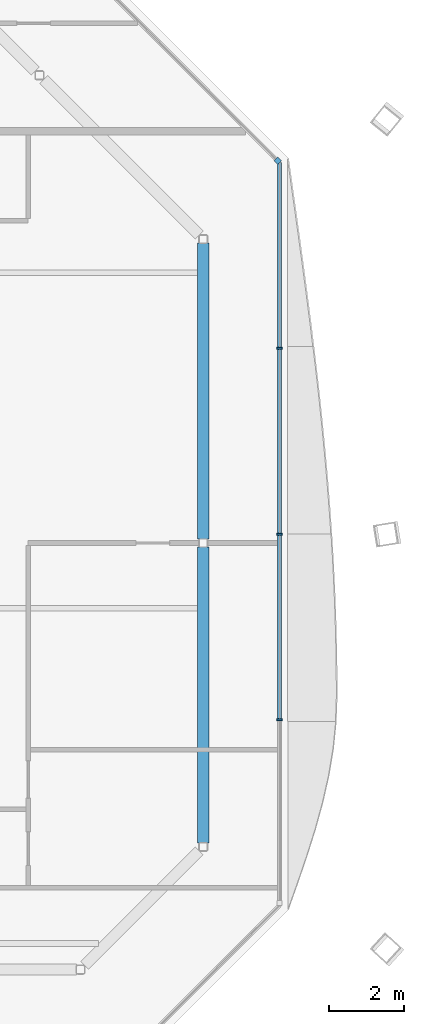
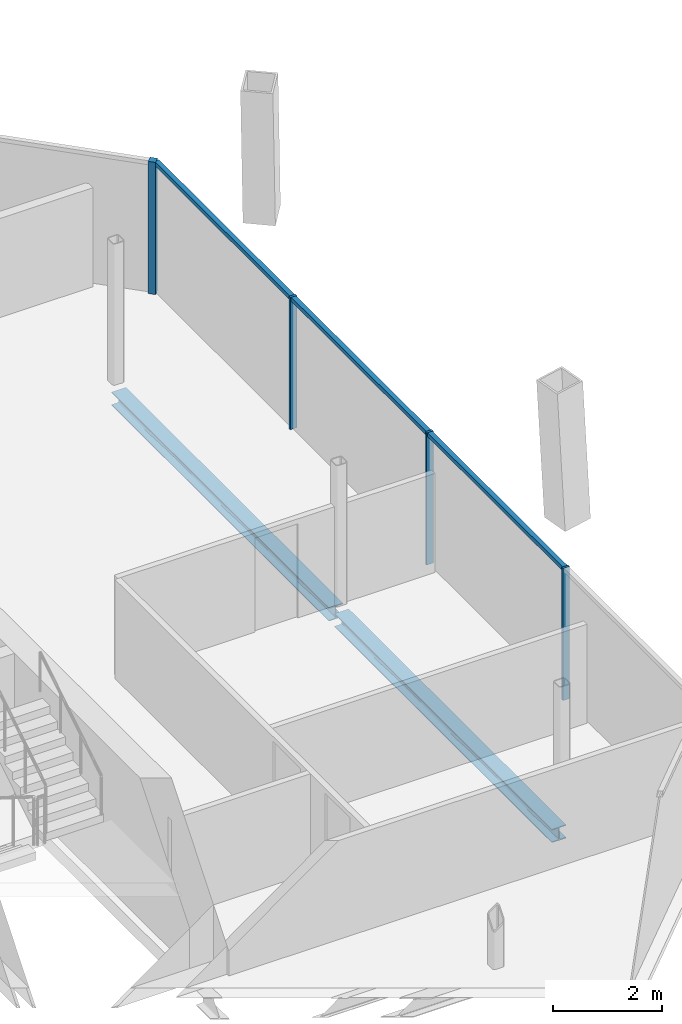
# One storey, part 7 of 14: 7 members, 2 beams, 2 elements without a shape of their own.
"""IFC4 building model written with IfcOpenShell, lengths in metres."""

from ifc_helpers import new_model, si_unit, direction, frame, origin, origin_2d, place, context, subcontext, project, spatial, rectangle, i_section, extrude, material, material_profile, profile_set, type_object, element, aggregate, save


model = new_model("IFC4")

# Units and contexts
model_context = context("Model", 3, precision=1e-05, world=origin(), true_north=direction((0.0, 1.0)))
body_context = subcontext(model_context, "Body", "Model", "MODEL_VIEW")
ifc_project = project(units=[si_unit("LENGTHUNIT", "METRE"), si_unit("AREAUNIT", "SQUARE_METRE"), si_unit("VOLUMEUNIT", "CUBIC_METRE"), si_unit("PLANEANGLEUNIT", "RADIAN"), si_unit("MASSUNIT", "GRAM", prefix="KILO")], contexts=[model_context])

# Site, building, storey
site_placement = place(None, origin())
site = spatial("IfcSite", under=ifc_project, at=site_placement, CompositionType="ELEMENT")
building_placement = place(site_placement, origin())
building = spatial("IfcBuilding", under=site, at=building_placement, Name="Tskaro Facet Tower", CompositionType="ELEMENT")
storey_placement = place(building_placement, frame((0.0, 0.0, 272.10009765625)))
storey = spatial("IfcBuildingStorey", under=building, at=storey_placement, Name="L72", CompositionType="ELEMENT", Elevation=272.10009765625)

# Curtain wall, member
ifc_material_1 = material(Name="Bronze anodised aluminium 6063-T6", Category="aluminium")
curtain_wall_type = type_object("IfcCurtainWallType", Name="Bronze residence curtain wall (FW3)", PredefinedType="NOTDEFINED", material=ifc_material_1)
curtain_wall_1_placement = place(storey_placement, origin())
curtain_wall_1 = element("IfcCurtainWall", 1, at=curtain_wall_1_placement, inside=storey, type_object=curtain_wall_type, Name="FW3 north-east facet L72", PredefinedType="NOTDEFINED")
ifc_material_profile_1 = material_profile(ifc_material_1, rectangle(XDim=0.139892578125, YDim=0.139892578125, at=origin_2d()), Name="Corner post 140x140")
ifc_profile_set_1 = profile_set([ifc_material_profile_1], Name="Bronze anodised aluminium 6063-T6")
member_type_1 = type_object("IfcMemberType", Name="FW3 bronze corner post 140x140", PredefinedType="MULLION", material=ifc_profile_set_1)
member_1_placement = place(storey_placement, frame((19.196533203125, 7.506591796875, 0.0), z_axis=(0.0, 0.0, 1.0), x_axis=(-0.707106781187, 0.707106781187, 0.0)))
member_1 = element("IfcMember", 2, at=member_1_placement, type_object=member_type_1, Name="FW3 north-east corner post", PredefinedType="MULLION", context=body_context, shape_type="SweptSolid", body=[
    extrude(rectangle(XDim=0.139892578125, YDim=0.139892578125, at=origin_2d()), origin(), (0.0, 0.0, 1.0), 2.949951171875),
])
aggregate(curtain_wall_1, [member_1])

# Curtain wall, members
curtain_wall_2_placement = place(storey_placement, origin())
curtain_wall_2 = element("IfcCurtainWall", 3, at=curtain_wall_2_placement, inside=storey, type_object=curtain_wall_type, Name="FW3 east facet L72", PredefinedType="NOTDEFINED")
ifc_material_profile_2 = material_profile(ifc_material_1, rectangle(XDim=0.050048828125, YDim=0.139892578125, at=origin_2d()), Name="Mullion 50x140")
ifc_profile_set_2 = profile_set([ifc_material_profile_2], Name="Bronze anodised aluminium 6063-T6")
member_type_2 = type_object("IfcMemberType", Name="FW3 bronze mullion 50x140", PredefinedType="MULLION", material=ifc_profile_set_2)
member_2_placement = place(storey_placement, frame((19.24609375, -7.4951171875, 0.0), z_axis=(0.0, 0.0, 1.0), x_axis=(0.0, 1.0, 0.0)))
member_2 = element("IfcMember", 4, at=member_2_placement, type_object=member_type_2, Name="FW3 east mullion 1", PredefinedType="MULLION", context=body_context, shape_type="SweptSolid", body=[
    extrude(rectangle(XDim=0.050048828125, YDim=0.139892578125, at=origin_2d()), origin(), (0.0, 0.0, 1.0), 2.949951171875),
])
member_3_placement = place(storey_placement, frame((19.24609375, -2.510986328125, 0.0), z_axis=(0.0, 0.0, 1.0), x_axis=(0.0, 1.0, 0.0)))
member_3 = element("IfcMember", 5, at=member_3_placement, type_object=member_type_2, Name="FW3 east mullion 2", PredefinedType="MULLION", context=body_context, shape_type="SweptSolid", body=[
    extrude(rectangle(XDim=0.050048828125, YDim=0.139892578125, at=origin_2d()), origin(), (0.0, 0.0, 1.0), 2.949951171875),
])
member_4_placement = place(storey_placement, frame((19.24609375, 2.472900390625, 0.0), z_axis=(0.0, 0.0, 1.0), x_axis=(0.0, 1.0, 0.0)))
member_4 = element("IfcMember", 6, at=member_4_placement, type_object=member_type_2, Name="FW3 east mullion 3", PredefinedType="MULLION", context=body_context, shape_type="SweptSolid", body=[
    extrude(rectangle(XDim=0.050048828125, YDim=0.139892578125, at=origin_2d()), origin(), (0.0, 0.0, 1.0), 2.949951171875),
])
ifc_material_profile_3 = material_profile(ifc_material_1, rectangle(XDim=0.10009765625, YDim=0.090087890625, at=origin_2d()), Name="Transom 100x90")
ifc_profile_set_3 = profile_set([ifc_material_profile_3], Name="Bronze anodised aluminium 6063-T6")
member_type_3 = type_object("IfcMemberType", Name="FW3 bronze transom 100x90", PredefinedType="USERDEFINED", material=ifc_profile_set_3)
member_5_placement = place(storey_placement, frame((19.24609375, -7.469970703125, 2.90478515625), z_axis=(0.0, 1.0, 0.0), x_axis=(-1.0, 0.0, 0.0)))
member_5 = element("IfcMember", 7, at=member_5_placement, type_object=member_type_3, Name="FW3 east transom 2.1", ObjectType="TRANSOM", PredefinedType="USERDEFINED", context=body_context, shape_type="SweptSolid", body=[
    extrude(rectangle(XDim=0.10009765625, YDim=0.090087890625, at=origin_2d()), origin(), (0.0, 0.0, 1.0), 4.93408203125),
])
member_6_placement = place(storey_placement, frame((19.24609375, -2.486083984375, 2.90478515625), z_axis=(0.0, 1.0, 0.0), x_axis=(-1.0, 0.0, 0.0)))
member_6 = element("IfcMember", 8, at=member_6_placement, type_object=member_type_3, Name="FW3 east transom 3.1", ObjectType="TRANSOM", PredefinedType="USERDEFINED", context=body_context, shape_type="SweptSolid", body=[
    extrude(rectangle(XDim=0.10009765625, YDim=0.090087890625, at=origin_2d()), origin(), (0.0, 0.0, 1.0), 4.93408203125),
])
member_7_placement = place(storey_placement, frame((19.24609375, 2.498046875, 2.90478515625), z_axis=(0.0, 1.0, 0.0), x_axis=(-1.0, 0.0, 0.0)))
member_7 = element("IfcMember", 9, at=member_7_placement, type_object=member_type_3, Name="FW3 east transom 4.1", ObjectType="TRANSOM", PredefinedType="USERDEFINED", context=body_context, shape_type="SweptSolid", body=[
    extrude(rectangle(XDim=0.10009765625, YDim=0.090087890625, at=origin_2d()), origin(), (0.0, 0.0, 1.0), 4.958984375),
])
aggregate(curtain_wall_2, [member_2, member_3, member_4, member_5, member_6, member_7])

# Beams
ifc_material_2 = material(Name="Steel S355J2", Category="steel")
ifc_material_profile_4 = material_profile(ifc_material_2, i_section(OverallWidth=0.300048828125, OverallDepth=0.300048828125, WebThickness=0.010986328125, FlangeThickness=0.01904296875, FilletRadius=0.027099609375, at=origin_2d()), Name="HE 300 B")
ifc_profile_set_4 = profile_set([ifc_material_profile_4], Name="Steel S355J2")
beam_type = type_object("IfcBeamType", Name="HE 300 B ring beam", PredefinedType="BEAM", material=ifc_profile_set_4)
for number, where, z_axis, x_axis, name in (
    (10, (17.199951171875, -10.798095703125, -0.2900390625), (0.0, 1.0, 0.0), (-1.0, 0.0, 0.0), "HE 300 B EB5-6"),
    (11, (17.199951171875, -2.64501953125, -0.2900390625), (0.0, 1.0, 0.0), (-1.0, 0.0, 0.0), "HE 300 B EB6-6"),
):
    element("IfcBeam", number, at=place(storey_placement, frame(where, z_axis=z_axis, x_axis=x_axis)), inside=storey, type_object=beam_type, Name=name, PredefinedType="BEAM", context=body_context, shape_type="SweptSolid", body=[
        extrude(i_section(OverallWidth=0.300048828125, OverallDepth=0.300048828125, WebThickness=0.010986328125, FlangeThickness=0.01904296875, FilletRadius=0.027099609375, at=origin_2d()), origin(), (0.0, 0.0, 1.0), 7.943115234375),
    ])

save(model, "model.ifc")
